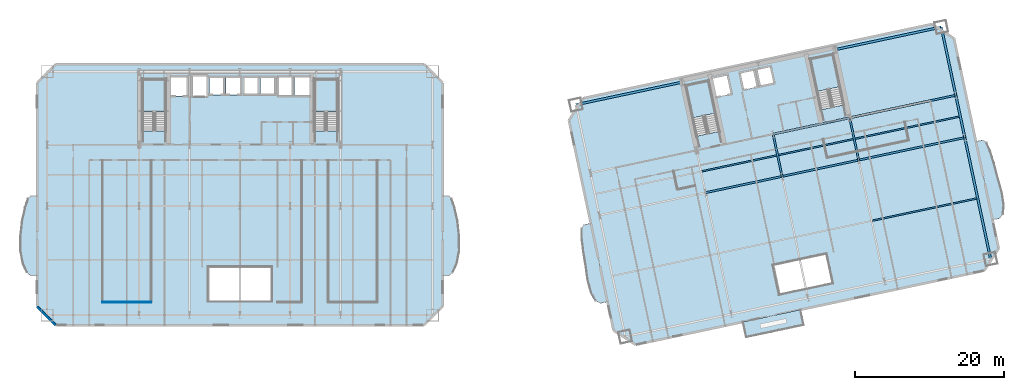
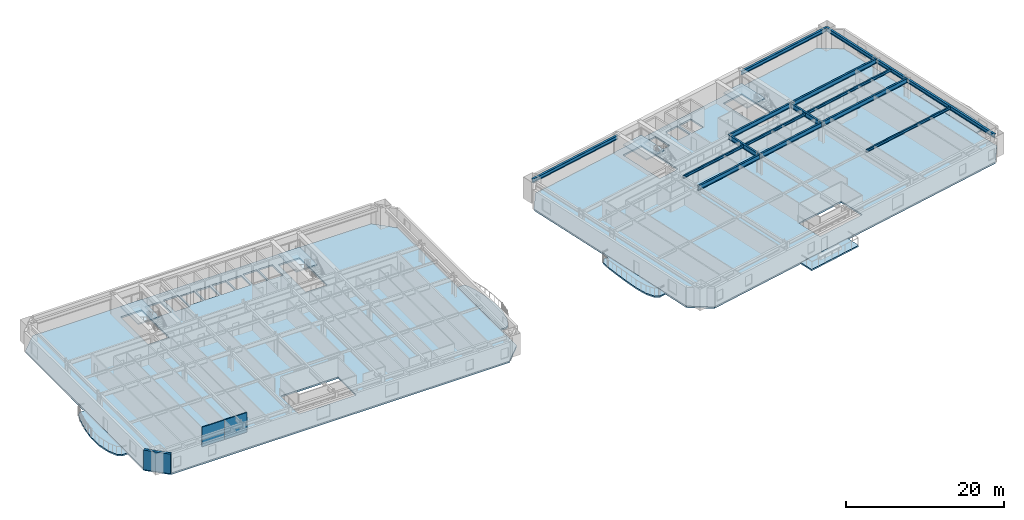
# One storey, part 4 of 17: 16 beams, 11 slabs, 3 walls, 4 elements without a shape of their own.
"""IFC4 building model written with IfcOpenShell, lengths in metres."""

from ifc_helpers import new_model, si_unit, direction, frame, frame_2d, origin, origin_2d, place, context, subcontext, project, spatial, polyline, rectangle, i_section, outline, extrude, material, layer, layer_set, material_profile, profile_set, type_object, element, aggregate, save


model = new_model("IFC4")

# Units and contexts
model_context = context("Model", 3, precision=1e-05, world=origin(), true_north=direction((0.0, 1.0)))
body_context = subcontext(model_context, "Body", "Model", "MODEL_VIEW")
ifc_project = project(units=[si_unit("LENGTHUNIT", "METRE"), si_unit("AREAUNIT", "SQUARE_METRE"), si_unit("VOLUMEUNIT", "CUBIC_METRE"), si_unit("PLANEANGLEUNIT", "RADIAN"), si_unit("MASSUNIT", "GRAM", prefix="KILO")], contexts=[model_context])

# Site, building, storey
site_placement = place(None, origin())
site = spatial("IfcSite", under=ifc_project, at=site_placement, CompositionType="ELEMENT")
building_placement = place(site_placement, origin())
building = spatial("IfcBuilding", under=site, at=building_placement, Name="Haevon Station Towers", CompositionType="ELEMENT")
storey_placement = place(building_placement, frame((0.0, 0.0, 33.89990234375)))
storey = spatial("IfcBuildingStorey", under=building, at=storey_placement, Name="L07", CompositionType="ELEMENT", Elevation=33.89990234375)

# Beams
ifc_material_1 = material(Name="Steel S355", Category="steel")
ifc_material_profile_1 = material_profile(ifc_material_1, i_section(OverallWidth=0.25, OverallDepth=0.699951171875, WebThickness=0.012939453125, FlangeThickness=0.02392578125, at=origin_2d()), Name="H-700x250x13x24")
ifc_profile_set_1 = profile_set([ifc_material_profile_1], Name="Steel S355")
beam_type_1 = type_object("IfcBeamType", Name="BM-G700", PredefinedType="BEAM", material=ifc_profile_set_1)
for number, where, z_axis, x_axis, name in (
    (1, (99.958251953125, 31.76904296875, 2.7001953125), (0.978146794194, 0.207915485254, 0.0), (-0.207915485254, 0.978146794194, 0.0), "BM-T2U-L07-02-02"),
    (2, (110.228759765625, 33.9521484375, 2.7001953125), (0.978146794194, 0.207915485254, 0.0), (-0.207915485254, 0.978146794194, 0.0), "BM-T2U-L07-02-03"),
):
    element("IfcBeam", number, at=place(storey_placement, frame(where, z_axis=z_axis, x_axis=x_axis)), inside=storey, type_object=beam_type_1, Name=name, PredefinedType="BEAM", context=body_context, shape_type="SweptSolid", body=[
        extrude(i_section(OverallWidth=0.25, OverallDepth=0.699951171875, WebThickness=0.012939453125, FlangeThickness=0.02392578125, at=origin_2d()), origin(), (0.0, 0.0, 1.0), 10.5),
    ])
beam_1_placement = place(storey_placement, frame((120.499267578125, 36.13525390625, 2.7001953125), z_axis=(0.978147548738, 0.207911935439, 0.0), x_axis=(-0.207911935439, 0.978147548738, 0.0)))
element("IfcBeam", 3, at=beam_1_placement, inside=storey, type_object=beam_type_1, Name="BM-T2U-L07-02-04", PredefinedType="BEAM", context=body_context, shape_type="SweptSolid", body=[
    extrude(i_section(OverallWidth=0.25, OverallDepth=0.699951171875, WebThickness=0.012939453125, FlangeThickness=0.02392578125, at=origin_2d()), origin(), (0.0, 0.0, 1.0), 14.550048828125),
])
beam_2_placement = place(storey_placement, frame((109.02294921875, 39.62548828125, 2.7001953125), z_axis=(0.978146794194, 0.207915485254, 0.0), x_axis=(-0.207915485254, 0.978146794194, 0.0)))
element("IfcBeam", 4, at=beam_2_placement, inside=storey, type_object=beam_type_1, Name="BM-T2U-L07-03-03", PredefinedType="BEAM", context=body_context, shape_type="SweptSolid", body=[
    extrude(i_section(OverallWidth=0.25, OverallDepth=0.699951171875, WebThickness=0.012939453125, FlangeThickness=0.02392578125, at=origin_2d()), origin(), (0.0, 0.0, 1.0), 10.5),
])
beam_3_placement = place(storey_placement, frame((119.29345703125, 41.80859375, 2.7001953125), z_axis=(0.978146823396, 0.207915347869, 0.0), x_axis=(-0.207915347869, 0.978146823396, 0.0)))
element("IfcBeam", 5, at=beam_3_placement, inside=storey, type_object=beam_type_1, Name="BM-T2U-L07-03-04", PredefinedType="BEAM", context=body_context, shape_type="SweptSolid", body=[
    extrude(i_section(OverallWidth=0.25, OverallDepth=0.699951171875, WebThickness=0.012939453125, FlangeThickness=0.02392578125, at=origin_2d()), origin(), (0.0, 0.0, 1.0), 14.5498046875),
])
for number, where, z_axis, x_axis, name in (
    (6, (110.228759765625, 33.9521484375, 2.7001953125), (-0.207896009217, 0.97815093383, 0.0), (-0.97815093383, -0.207896009217, 0.0), "BM-T2V-L07-03-02"),
    (7, (120.499267578125, 36.13525390625, 2.7001953125), (-0.207896009217, 0.97815093383, 0.0), (-0.97815093383, -0.207896009217, 0.0), "BM-T2V-L07-04-02"),
):
    element("IfcBeam", number, at=place(storey_placement, frame(where, z_axis=z_axis, x_axis=x_axis)), inside=storey, type_object=beam_type_1, Name=name, PredefinedType="BEAM", context=body_context, shape_type="SweptSolid", body=[
        extrude(i_section(OverallWidth=0.25, OverallDepth=0.699951171875, WebThickness=0.012939453125, FlangeThickness=0.02392578125, at=origin_2d()), origin(), (0.0, 0.0, 1.0), 5.800048828125),
    ])
ifc_material_profile_2 = material_profile(ifc_material_1, i_section(OverallWidth=0.199951171875, OverallDepth=0.39990234375, WebThickness=0.008056640625, FlangeThickness=0.012939453125, at=origin_2d()), Name="H-400x200x8x13")
ifc_profile_set_2 = profile_set([ifc_material_profile_2], Name="Steel S355")
beam_type_2 = type_object("IfcBeamType", Name="BM-J400", PredefinedType="JOIST", material=ifc_profile_set_2)
beam_4_placement = place(storey_placement, frame((122.337890625, 28.01513671875, 2.85009765625), z_axis=(0.978149367314, 0.207903379537, 0.0), x_axis=(-0.207903379537, 0.978149367314, 0.0)))
element("IfcBeam", 8, at=beam_4_placement, inside=storey, type_object=beam_type_2, Name="BM-T2J-L07-01-04", PredefinedType="JOIST", context=body_context, shape_type="SweptSolid", body=[
    extrude(i_section(OverallWidth=0.199951171875, OverallDepth=0.39990234375, WebThickness=0.008056640625, FlangeThickness=0.012939453125, at=origin_2d()), origin(), (0.0, 0.0, 1.0), 14.330078125),
])
for number, where, z_axis, x_axis, name in (
    (9, (99.462890625, 34.628662109375, 2.85009765625), (0.978150339653, 0.207898804801, 0.0), (-0.207898804801, 0.978150339653, 0.0), "BM-T2J-L07-02-02"),
    (10, (109.7333984375, 36.811767578125, 2.85009765625), (0.978150339653, 0.207898804801, 0.0), (-0.207898804801, 0.978150339653, 0.0), "BM-T2J-L07-02-03"),
):
    element("IfcBeam", number, at=place(storey_placement, frame(where, z_axis=z_axis, x_axis=x_axis)), inside=storey, type_object=beam_type_2, Name=name, PredefinedType="JOIST", context=body_context, shape_type="SweptSolid", body=[
        extrude(i_section(OverallWidth=0.199951171875, OverallDepth=0.39990234375, WebThickness=0.008056640625, FlangeThickness=0.012939453125, at=origin_2d()), origin(), (0.0, 0.0, 1.0), 10.280029296875),
    ])
beam_5_placement = place(storey_placement, frame((120.00390625, 38.994873046875, 2.85009765625), z_axis=(0.978149367314, 0.207903379537, 0.0), x_axis=(-0.207903379537, 0.978149367314, 0.0)))
element("IfcBeam", 11, at=beam_5_placement, inside=storey, type_object=beam_type_2, Name="BM-T2J-L07-02-04", PredefinedType="JOIST", context=body_context, shape_type="SweptSolid", body=[
    extrude(i_section(OverallWidth=0.199951171875, OverallDepth=0.39990234375, WebThickness=0.008056640625, FlangeThickness=0.012939453125, at=origin_2d()), origin(), (0.0, 0.0, 1.0), 14.330078125),
])
ifc_material_profile_3 = material_profile(ifc_material_1, i_section(OverallWidth=0.300048828125, OverallDepth=0.587890625, WebThickness=0.011962890625, FlangeThickness=0.02001953125, at=origin_2d()), Name="H-588x300x12x20")
ifc_profile_set_3 = profile_set([ifc_material_profile_3], Name="Steel S355")
beam_type_3 = type_object("IfcBeamType", Name="BM-SP588", PredefinedType="SPANDREL", material=ifc_profile_set_3)
beam_6_placement = place(storey_placement, frame((82.576416015625, 43.56298828125, 2.756103515625), z_axis=(0.978146823396, 0.207915347869, 0.0), x_axis=(-0.207915347869, 0.978146823396, 0.0)))
element("IfcBeam", 12, at=beam_6_placement, inside=storey, type_object=beam_type_3, Name="BM-T2U-L07-04-01", PredefinedType="SPANDREL", context=body_context, shape_type="SweptSolid", body=[
    extrude(i_section(OverallWidth=0.300048828125, OverallDepth=0.587890625, WebThickness=0.011962890625, FlangeThickness=0.02001953125, at=origin_2d()), origin(), (0.0, 0.0, 1.0), 14.5498046875),
])
beam_7_placement = place(storey_placement, frame((117.349365234375, 50.954345703125, 2.756103515625), z_axis=(0.978150960994, 0.207895881409, 0.0), x_axis=(-0.207895881409, 0.978150960994, 0.0)))
element("IfcBeam", 13, at=beam_7_placement, inside=storey, type_object=beam_type_3, Name="BM-T2U-L07-04-04", PredefinedType="SPANDREL", context=body_context, shape_type="SweptSolid", body=[
    extrude(i_section(OverallWidth=0.300048828125, OverallDepth=0.587890625, WebThickness=0.011962890625, FlangeThickness=0.02001953125, at=origin_2d()), origin(), (0.0, 0.0, 1.0), 14.550048828125),
])
beam_8_placement = place(storey_placement, frame((138.193115234375, 22.874267578125, 2.756103515625), z_axis=(-0.20790856066, 0.978148266064, 0.0), x_axis=(-0.978148266064, -0.20790856066, 0.0)))
element("IfcBeam", 14, at=beam_8_placement, inside=storey, type_object=beam_type_3, Name="BM-T2V-L07-05-01", PredefinedType="SPANDREL", context=body_context, shape_type="SweptSolid", body=[
    extrude(i_section(OverallWidth=0.300048828125, OverallDepth=0.587890625, WebThickness=0.011962890625, FlangeThickness=0.02001953125, at=origin_2d()), origin(), (0.0, 0.0, 1.0), 16.64990234375),
])
beam_9_placement = place(storey_placement, frame((134.7314453125, 39.160400390625, 2.756103515625), z_axis=(-0.207936282142, 0.978142373363, 0.0), x_axis=(-0.978142373363, -0.207936282142, 0.0)))
element("IfcBeam", 15, at=beam_9_placement, inside=storey, type_object=beam_type_3, Name="BM-T2V-L07-05-02", PredefinedType="SPANDREL", context=body_context, shape_type="SweptSolid", body=[
    extrude(i_section(OverallWidth=0.300048828125, OverallDepth=0.587890625, WebThickness=0.011962890625, FlangeThickness=0.02001953125, at=origin_2d()), origin(), (0.0, 0.0, 1.0), 5.800048828125),
])
beam_10_placement = place(storey_placement, frame((133.525390625, 44.833740234375, 2.756103515625), z_axis=(-0.207902477038, 0.978149559138, 0.0), x_axis=(-0.978149559138, -0.207902477038, 0.0)))
element("IfcBeam", 16, at=beam_10_placement, inside=storey, type_object=beam_type_3, Name="BM-T2V-L07-05-03", PredefinedType="SPANDREL", context=body_context, shape_type="SweptSolid", body=[
    extrude(i_section(OverallWidth=0.300048828125, OverallDepth=0.587890625, WebThickness=0.011962890625, FlangeThickness=0.02001953125, at=origin_2d()), origin(), (0.0, 0.0, 1.0), 9.349853515625),
])

# Slabs
ifc_material_2 = material(Name="Concrete C40/50", Category="concrete")
ifc_layer_1 = layer(ifc_material_2, 0.219970703125)
ifc_layer_set_1 = layer_set([ifc_layer_1], Name="Concrete C40/50")
slab_type_1 = type_object("IfcSlabType", Name="SL-BALC220", PredefinedType="FLOOR", material=ifc_layer_set_1)
slab_1_placement = place(storey_placement, frame((0.0, 0.0, -0.219970703125)))
element("IfcSlab", 17, at=slab_1_placement, inside=storey, type_object=slab_type_1, Name="Tower 1 L07 West SCALLOPED BALCONY", PredefinedType="FLOOR", context=body_context, shape_type="SweptSolid", body=[
    extrude(outline(polyline([(10.294921875, 31.39990234375), (9.445068359375, 31.39990234375), (9.10986328125, 30.989013671875), (8.70068359375, 29.818359375), (8.28759765625, 28.06640625), (8.015625, 26.0), (8.045166015625, 23.93359375), (8.40283203125, 22.181640625), (8.94677734375, 21.010986328125), (9.445068359375, 20.60009765625), (10.294921875, 20.60009765625), (10.294921875, 31.39990234375)])), origin(), (0.0, 0.0, 1.0), 0.219970703125),
])
slab_2_placement = place(storey_placement, frame((0.0, 0.0, -0.219970703125)))
element("IfcSlab", 18, at=slab_2_placement, inside=storey, type_object=slab_type_1, Name="Tower 1 L07 East SCALLOPED BALCONY", PredefinedType="FLOOR", context=body_context, shape_type="SweptSolid", body=[
    extrude(outline(polyline([(64.705078125, 20.60009765625), (65.554931640625, 20.60009765625), (66.05322265625, 21.010986328125), (66.59716796875, 22.181640625), (66.954833984375, 23.93359375), (66.984375, 26.0), (66.71240234375, 28.06640625), (66.29931640625, 29.818359375), (65.89013671875, 30.989013671875), (65.554931640625, 31.39990234375), (64.705078125, 31.39990234375), (64.705078125, 20.60009765625)])), origin(), (0.0, 0.0, 1.0), 0.219970703125),
])
slab_3_placement = place(storey_placement, frame((0.0, 0.0, -0.219970703125)))
element("IfcSlab", 19, at=slab_3_placement, inside=storey, type_object=slab_type_1, Name="Tower 2 L07 West SCALLOPED BALCONY", PredefinedType="FLOOR", context=body_context, shape_type="SweptSolid", body=[
    extrude(outline(polyline([(84.567138671875, 27.6796875), (83.630615234375, 27.480712890625), (83.333984375, 26.99755859375), (83.33642578125, 25.80126953125), (83.533935546875, 24.05224609375), (83.811279296875, 21.99853515625), (84.156005859375, 19.959228515625), (84.6328125, 18.26953125), (85.2490234375, 17.20361328125), (85.876220703125, 16.916748046875), (86.8125, 17.11572265625), (84.567138671875, 27.6796875)])), origin(), (0.0, 0.0, 1.0), 0.219970703125),
])
slab_4_placement = place(storey_placement, frame((0.0, 0.0, -0.219970703125)))
element("IfcSlab", 20, at=slab_4_placement, inside=storey, type_object=slab_type_1, Name="Tower 2 L07 East SCALLOPED BALCONY", PredefinedType="FLOOR", context=body_context, shape_type="SweptSolid", body=[
    extrude(outline(polyline([(138.468505859375, 28.095703125), (139.405029296875, 28.294677734375), (139.861083984375, 28.811767578125), (139.990478515625, 30.0361328125), (139.739013671875, 31.773681640625), (139.224365234375, 33.77685546875), (138.642333984375, 35.765869140625), (138.111328125, 37.444091796875), (137.627197265625, 38.537841796875), (137.159423828125, 38.858642578125), (136.22314453125, 38.65966796875), (138.468505859375, 28.095703125)])), origin(), (0.0, 0.0, 1.0), 0.219970703125),
])
slab_5_placement = place(storey_placement, frame((0.0, 0.0, -0.219970703125)))
element("IfcSlab", 21, at=slab_5_placement, inside=storey, type_object=slab_type_1, Name="Tower 2 L07 Planted Balcony Band", PredefinedType="FLOOR", context=body_context, shape_type="SweptSolid", body=[
    extrude(outline(polyline([(105.35986328125, 12.3681640625), (113.18505859375, 14.031494140625), (112.74951171875, 16.080810546875), (104.92431640625, 14.41748046875), (105.35986328125, 12.3681640625)])), origin(), (0.0, 0.0, 1.0), 0.219970703125),
])

# Stair, slab
stair_type = type_object("IfcStairType", Name="STR-DL1450", PredefinedType="USERDEFINED", material=ifc_material_2)
stair_1_placement = place(storey_placement, origin())
stair_1 = element("IfcStair", 22, at=stair_1_placement, inside=storey, type_object=stair_type, Name="L07 Escape Stair ST1", ObjectType="TWO_RETURN_STAIR", PredefinedType="USERDEFINED")
ifc_layer_2 = layer(ifc_material_2, 0.199951171875)
ifc_layer_set_2 = layer_set([ifc_layer_2], Name="Concrete C40/50")
slab_type_2 = type_object("IfcSlabType", Name="SL-LND200", PredefinedType="LANDING", material=ifc_layer_set_2)
slab_6_placement = place(storey_placement, frame((0.0, 0.0, 1.4501953125)))
slab_6 = element("IfcSlab", 23, at=slab_6_placement, type_object=slab_type_2, Name="L07 ST1 Half Landing 1", PredefinedType="LANDING", context=body_context, shape_type="SweptSolid", body=[
    extrude(outline(polyline([(27.580078125, 42.56396484375), (27.580078125, 47.0), (24.47998046875, 47.0), (24.47998046875, 42.56396484375), (27.580078125, 42.56396484375)])), origin(), (0.0, 0.0, 1.0), 0.199951171875),
])
aggregate(stair_1, [slab_6])

stair_2_placement = place(storey_placement, origin())
stair_2 = element("IfcStair", 24, at=stair_2_placement, inside=storey, type_object=stair_type, Name="L07 Escape Stair ST2", ObjectType="TWO_RETURN_STAIR", PredefinedType="USERDEFINED")
slab_7_placement = place(storey_placement, frame((0.0, 0.0, 1.4501953125)))
slab_7 = element("IfcSlab", 25, at=slab_7_placement, type_object=slab_type_2, Name="L07 ST2 Half Landing 1", PredefinedType="LANDING", context=body_context, shape_type="SweptSolid", body=[
    extrude(outline(polyline([(50.6201171875, 42.56396484375), (50.6201171875, 47.0), (47.52001953125, 47.0), (47.52001953125, 42.56396484375), (50.6201171875, 42.56396484375)])), origin(), (0.0, 0.0, 1.0), 0.199951171875),
])
aggregate(stair_2, [slab_7])

stair_3_placement = place(storey_placement, origin())
stair_3 = element("IfcStair", 26, at=stair_3_placement, inside=storey, type_object=stair_type, Name="L07 Escape Stair ST3", ObjectType="TWO_RETURN_STAIR", PredefinedType="USERDEFINED")
slab_8_placement = place(storey_placement, frame((0.0, 0.0, 1.4501953125)))
slab_8 = element("IfcSlab", 27, at=slab_8_placement, type_object=slab_type_2, Name="L07 ST3 Half Landing 1", PredefinedType="LANDING", context=body_context, shape_type="SweptSolid", body=[
    extrude(outline(polyline([(101.2880859375, 42.44287109375), (100.36572265625, 46.781982421875), (97.33349609375, 46.137451171875), (98.255859375, 41.79833984375), (101.2880859375, 42.44287109375)])), origin(), (0.0, 0.0, 1.0), 0.199951171875),
])
aggregate(stair_3, [slab_8])

stair_4_placement = place(storey_placement, origin())
stair_4 = element("IfcStair", 28, at=stair_4_placement, inside=storey, type_object=stair_type, Name="L07 Escape Stair ST4", ObjectType="TWO_RETURN_STAIR", PredefinedType="USERDEFINED")
slab_9_placement = place(storey_placement, frame((0.0, 0.0, 1.4501953125)))
slab_9 = element("IfcSlab", 29, at=slab_9_placement, type_object=slab_type_2, Name="L07 ST4 Half Landing 1", PredefinedType="LANDING", context=body_context, shape_type="SweptSolid", body=[
    extrude(outline(polyline([(117.975341796875, 45.989990234375), (117.052978515625, 50.328857421875), (114.020751953125, 49.684326171875), (114.943115234375, 45.345458984375), (117.975341796875, 45.989990234375)])), origin(), (0.0, 0.0, 1.0), 0.199951171875),
])
aggregate(stair_4, [slab_9])

# Slabs
ifc_layer_3 = layer(ifc_material_2, 0.25)
ifc_layer_set_3 = layer_set([ifc_layer_3], Name="Concrete C40/50")
slab_type_3 = type_object("IfcSlabType", Name="SL-TW250", PredefinedType="FLOOR", material=ifc_layer_set_3)
slab_10_placement = place(storey_placement, frame((0.0, 0.0, -0.25)))
element("IfcSlab", 30, at=slab_10_placement, inside=storey, type_object=slab_type_3, Name="SL-T1-L07", PredefinedType="FLOOR", context=body_context, shape_type="SweptSolid", body=[
    extrude(outline(polyline([(12.800048828125, 14.0), (62.199951171875, 14.0), (64.699951171875, 16.5), (64.699951171875, 46.5), (62.199951171875, 49.0), (12.800048828125, 49.0), (10.300048828125, 46.5), (10.300048828125, 16.5), (12.800048828125, 14.0)]), holes=[polyline([(27.580078125, 40.055908203125), (27.580078125, 47.0), (24.47998046875, 47.0), (24.47998046875, 40.055908203125), (27.580078125, 40.055908203125)]), polyline([(50.6201171875, 40.055908203125), (50.6201171875, 47.0), (47.52001953125, 47.0), (47.52001953125, 40.055908203125), (50.6201171875, 40.055908203125)]), polyline([(28.300048828125, 44.699951171875), (30.5, 44.699951171875), (30.5, 47.39990234375), (28.300048828125, 47.39990234375), (28.300048828125, 44.699951171875)]), polyline([(31.050048828125, 44.60009765625), (33.14990234375, 44.60009765625), (33.14990234375, 47.5), (31.050048828125, 47.5), (31.050048828125, 44.60009765625)]), polyline([(33.39990234375, 44.89990234375), (35.39990234375, 44.89990234375), (35.39990234375, 47.300048828125), (33.39990234375, 47.300048828125), (33.39990234375, 44.89990234375)]), polyline([(35.64990234375, 44.89990234375), (37.64990234375, 44.89990234375), (37.64990234375, 47.300048828125), (35.64990234375, 47.300048828125), (35.64990234375, 44.89990234375)]), polyline([(38.0, 44.89990234375), (40.0, 44.89990234375), (40.0, 47.300048828125), (38.0, 47.300048828125), (38.0, 44.89990234375)]), polyline([(40.25, 44.89990234375), (42.25, 44.89990234375), (42.25, 47.300048828125), (40.25, 47.300048828125), (40.25, 44.89990234375)]), polyline([(42.60009765625, 44.699951171875), (44.60009765625, 44.699951171875), (44.60009765625, 47.39990234375), (42.60009765625, 47.39990234375), (42.60009765625, 44.699951171875)]), polyline([(44.85009765625, 44.699951171875), (46.85009765625, 44.699951171875), (46.85009765625, 47.39990234375), (44.85009765625, 47.39990234375), (44.85009765625, 44.699951171875)]), polyline([(33.300048828125, 17.199951171875), (41.699951171875, 17.199951171875), (41.699951171875, 21.800048828125), (33.300048828125, 21.800048828125), (33.300048828125, 17.199951171875)])]), origin(), (0.0, 0.0, 1.0), 0.25),
])
slab_11_placement = place(storey_placement, frame((0.0, 0.0, -0.25)))
element("IfcSlab", 31, at=slab_11_placement, inside=storey, type_object=slab_type_3, Name="SL-T2-L07", PredefinedType="FLOOR", context=body_context, shape_type="SweptSolid", body=[
    extrude(outline(polyline([(90.593505859375, 11.37646484375), (137.348876953125, 21.314697265625), (139.2744140625, 24.27978515625), (133.28662109375, 52.450439453125), (130.321533203125, 54.3759765625), (83.566162109375, 44.43798828125), (81.640380859375, 41.47265625), (87.62841796875, 13.302001953125), (90.593505859375, 11.37646484375)]), holes=[polyline([(101.8095703125, 39.98974609375), (100.36572265625, 46.781982421875), (97.33349609375, 46.137451171875), (98.77734375, 39.34521484375), (101.8095703125, 39.98974609375)]), polyline([(118.496826171875, 43.53662109375), (117.052978515625, 50.328857421875), (114.020751953125, 49.684326171875), (115.464599609375, 42.89208984375), (118.496826171875, 43.53662109375)]), polyline([(101.43212890625, 44.554931640625), (103.486328125, 44.99169921875), (102.9248046875, 47.632568359375), (100.870849609375, 47.196044921875), (101.43212890625, 44.554931640625)]), polyline([(105.009765625, 45.519775390625), (106.966064453125, 45.935791015625), (106.467041015625, 48.283203125), (104.5107421875, 47.867431640625), (105.009765625, 45.519775390625)]), polyline([(107.259521484375, 45.998046875), (109.2158203125, 46.413818359375), (108.716796875, 48.761474609375), (106.760498046875, 48.345703125), (107.259521484375, 45.998046875)]), polyline([(109.9091796875, 18.140380859375), (116.951904296875, 19.63720703125), (116.120361328125, 23.5498046875), (109.07763671875, 22.052978515625), (109.9091796875, 18.140380859375)])]), origin(), (0.0, 0.0, 1.0), 0.25),
])

# Walls
ifc_material_3 = material(Name="Precast concrete C45/55", Category="concrete")
ifc_layer_4 = layer(ifc_material_3, 0.340087890625)
ifc_layer_set_4 = layer_set([ifc_layer_4], Name="Precast concrete C45/55")
wall_type_1 = type_object("IfcWallType", Name="WL-EXT-PIER340", PredefinedType="SOLIDWALL", material=ifc_layer_set_4)
wall_placement = place(storey_placement, frame((12.800048828125, 14.0, 0.0), z_axis=(0.0, 0.0, 1.0), x_axis=(-0.707106781187, 0.707106781187, 0.0)))
element("IfcWall", 32, at=wall_placement, inside=storey, type_object=wall_type_1, Name="WL-T1-L07-SWC", PredefinedType="SOLIDWALL", context=body_context, shape_type="SweptSolid", body=[
    extrude(rectangle(XDim=3.53564453125, YDim=0.340087890625, at=frame_2d((1.767822265625, 0.0))), origin(), (0.0, 0.0, 1.0), 3.030029296875),
])
ifc_material_4 = material(Name="Gypsum board on steel stud", Category="steel")
ifc_layer_5 = layer(ifc_material_4, 0.125)
ifc_layer_set_5 = layer_set([ifc_layer_5], Name="Gypsum board on steel stud")
wall_type_2 = type_object("IfcWallType", Name="WL-PRT125", PredefinedType="PARTITIONING", material=ifc_layer_set_5)
for number, where, z_axis, x_axis, name in (
    (33, (19.080078125, 17.10009765625, 0.0), (0.0, 0.0, 1.0), (1.0, 0.0, 0.0), "WL-T1PT-L07-11"),
    (34, (22.35009765625, 17.10009765625, 0.0), (0.0, 0.0, 1.0), (1.0, 0.0, 0.0), "WL-T1PT-L07-14"),
):
    element("IfcWall", number, at=place(storey_placement, frame(where, z_axis=z_axis, x_axis=x_axis)), inside=storey, type_object=wall_type_2, Name=name, PredefinedType="PARTITIONING", context=body_context, shape_type="SweptSolid", body=[
        extrude(rectangle(XDim=3.27001953125, YDim=0.125, at=frame_2d((1.635009765625, 0.0))), origin(), (0.0, 0.0, 1.0), 3.030029296875),
    ])

save(model, "model.ifc")
